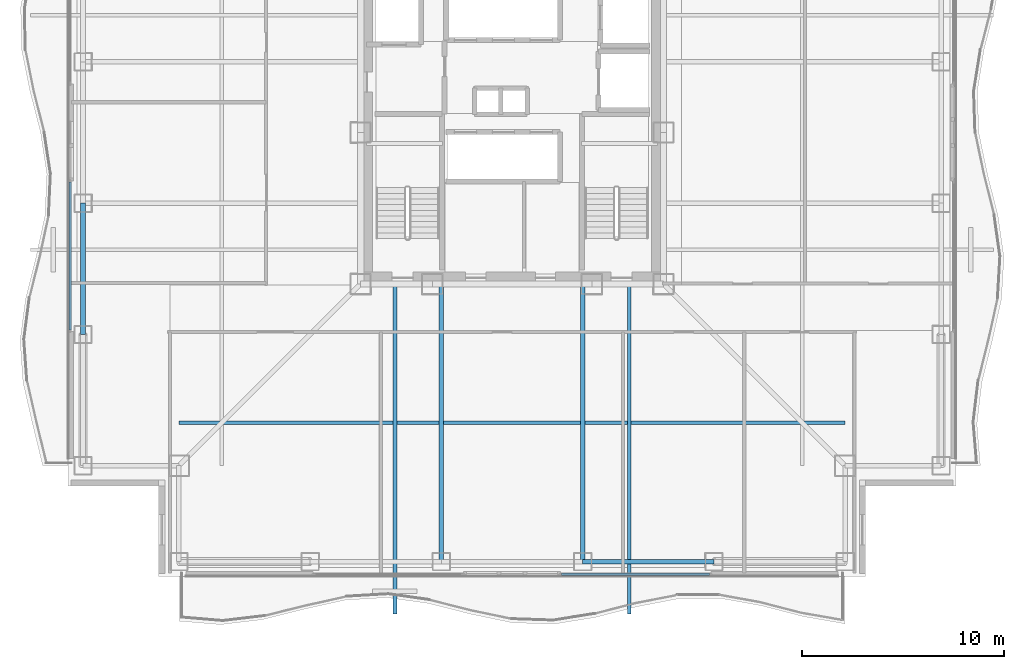
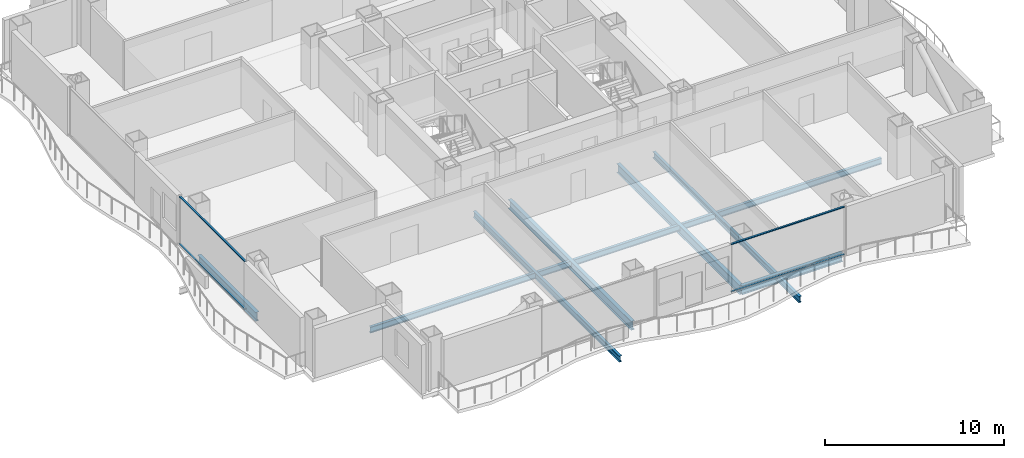
# One storey, part 3 of 18: 7 beams, 4 members, 2 elements without a shape of their own.
"""IFC4 building model written with IfcOpenShell, lengths in metres."""

from ifc_helpers import new_model, si_unit, direction, frame, origin, origin_2d, place, context, subcontext, project, spatial, rectangle, i_section, extrude, material, layer, layer_set, material_profile, profile_set, type_object, element, aggregate, save


model = new_model("IFC4")

# Units and contexts
model_context = context("Model", 3, precision=1e-05, world=origin(), true_north=direction((0.0, 1.0)))
body_context = subcontext(model_context, "Body", "Model", "MODEL_VIEW")
ifc_project = project(units=[si_unit("LENGTHUNIT", "METRE"), si_unit("AREAUNIT", "SQUARE_METRE"), si_unit("VOLUMEUNIT", "CUBIC_METRE"), si_unit("PLANEANGLEUNIT", "RADIAN"), si_unit("MASSUNIT", "GRAM", prefix="KILO")], contexts=[model_context])

# Site, building, storey
site_placement = place(None, origin())
site = spatial("IfcSite", under=ifc_project, at=site_placement, CompositionType="ELEMENT")
building_placement = place(site_placement, origin())
building = spatial("IfcBuilding", under=site, at=building_placement, Name="Trevonay Congress Spire", CompositionType="ELEMENT")
storey_placement = place(building_placement, frame((0.0, 0.0, 122.800048828125)))
storey = spatial("IfcBuildingStorey", under=building, at=storey_placement, Name="L31", CompositionType="ELEMENT", Elevation=122.800048828125)

# Beams
ifc_material_1 = material(Name="Steel ASTM A572 Grade 50", Category="steel")
ifc_material_profile_1 = material_profile(ifc_material_1, i_section(OverallWidth=0.22998046875, OverallDepth=0.616943359375, WebThickness=0.01318359375, FlangeThickness=0.022216796875, FilletRadius=0.01611328125, at=origin_2d()), Name="W610x140")
ifc_profile_set_1 = profile_set([ifc_material_profile_1], Name="Steel ASTM A572 Grade 50")
beam_type_1 = type_object("IfcBeamType", Name="BM-GIRD-W610X140", PredefinedType="BEAM", material=ifc_profile_set_1)
for number, where, z_axis, x_axis, name in (
    (1, (-3.5, -7.5, -0.548583984375), (0.0, -1.0, 0.0), (1.0, 0.0, 0.0), "L31 structural beam BM-L31-GS-M"),
    (2, (3.5, -7.5, -0.548583984375), (0.0, -1.0, 0.0), (1.0, 0.0, 0.0), "L31 structural beam BM-L31-GS-P"),
):
    element("IfcBeam", number, at=place(storey_placement, frame(where, z_axis=z_axis, x_axis=x_axis)), inside=storey, type_object=beam_type_1, Name=name, PredefinedType="BEAM", context=body_context, shape_type="SweptSolid", body=[
        extrude(i_section(OverallWidth=0.22998046875, OverallDepth=0.616943359375, WebThickness=0.01318359375, FlangeThickness=0.022216796875, FilletRadius=0.01611328125, at=origin_2d()), origin(), (0.0, 0.0, 1.0), 13.75),
    ])
ifc_material_profile_2 = material_profile(ifc_material_1, i_section(OverallWidth=0.22802734375, OverallDepth=0.60791015625, WebThickness=0.01123046875, FlangeThickness=0.017333984375, FilletRadius=0.01611328125, at=origin_2d()), Name="W610x113")
ifc_profile_set_2 = profile_set([ifc_material_profile_2], Name="Steel ASTM A572 Grade 50")
beam_type_2 = type_object("IfcBeamType", Name="BM-RING-W610X113", PredefinedType="BEAM", material=ifc_profile_set_2)
for number, where, z_axis, x_axis, name in (
    (3, (-21.25, -10.0, -0.5439453125), (0.0, 1.0, 0.0), (-1.0, 0.0, 0.0), "L31 structural beam BM-L31-PW2"),
    (4, (3.5, -21.25, -0.5439453125), (1.0, 0.0, 0.0), (0.0, 1.0, 0.0), "L31 structural beam BM-L31-PS4"),
):
    element("IfcBeam", number, at=place(storey_placement, frame(where, z_axis=z_axis, x_axis=x_axis)), inside=storey, type_object=beam_type_2, Name=name, PredefinedType="BEAM", context=body_context, shape_type="SweptSolid", body=[
        extrude(i_section(OverallWidth=0.22802734375, OverallDepth=0.60791015625, WebThickness=0.01123046875, FlangeThickness=0.017333984375, FilletRadius=0.01611328125, at=origin_2d()), origin(), (0.0, 0.0, 1.0), 6.5),
    ])
ifc_material_profile_3 = material_profile(ifc_material_1, i_section(OverallWidth=0.180908203125, OverallDepth=0.4169921875, WebThickness=0.010986328125, FlangeThickness=0.018310546875, FilletRadius=0.012939453125, at=origin_2d()), Name="W410x85")
ifc_profile_set_3 = profile_set([ifc_material_profile_3], Name="Steel ASTM A572 Grade 50")
beam_type_3 = type_object("IfcBeamType", Name="BM-WAV-LOOKOUT", PredefinedType="BEAM", material=ifc_profile_set_3)
for number, where, z_axis, x_axis, name in (
    (5, (-5.800048828125, -7.5, -0.448486328125), (0.0, -1.0, 0.0), (1.0, 0.0, 0.0), "L31 structural beam WLK-L31-S1"),
    (6, (5.800048828125, -7.5, -0.448486328125), (0.0, -1.0, 0.0), (1.0, 0.0, 0.0), "L31 structural beam WLK-L31-S2"),
):
    element("IfcBeam", number, at=place(storey_placement, frame(where, z_axis=z_axis, x_axis=x_axis)), inside=storey, type_object=beam_type_3, Name=name, PredefinedType="BEAM", context=body_context, shape_type="SweptSolid", body=[
        extrude(i_section(OverallWidth=0.180908203125, OverallDepth=0.4169921875, WebThickness=0.010986328125, FlangeThickness=0.018310546875, FilletRadius=0.012939453125, at=origin_2d()), origin(), (0.0, 0.0, 1.0), 16.35009765625),
    ])

# Curtain wall, members
ifc_material_2 = material(Name="Pale Anodised Aluminium EN AW-6063-T6", Category="aluminium")
ifc_layer = layer(ifc_material_2, 0.175048828125, Name="Pale Anodised Aluminium EN AW-6063-T6")
ifc_layer_set = layer_set([ifc_layer], Name="Pale Anodised Aluminium EN AW-6063-T6")
curtain_wall_type = type_object("IfcCurtainWallType", Name="CW-SYS03-CONGRESS-PALE-METAL", PredefinedType="NOTDEFINED", material=ifc_layer_set)
curtain_wall_1_placement = place(storey_placement, origin())
curtain_wall_1 = element("IfcCurtainWall", 7, at=curtain_wall_1_placement, inside=storey, type_object=curtain_wall_type, Name="L31 SB unitised curtain wall", PredefinedType="NOTDEFINED")
ifc_material_profile_4 = material_profile(ifc_material_2, rectangle(XDim=0.1201171875, YDim=0.06005859375, at=origin_2d()), Name="CW-TRANSOM-120-ALUMINIUM")
ifc_profile_set_4 = profile_set([ifc_material_profile_4], Name="Pale Anodised Aluminium EN AW-6063-T6")
member_type = type_object("IfcMemberType", Name="CW-TRANSOM-120-ALUMINIUM", PredefinedType="USERDEFINED", material=ifc_profile_set_4)
member_1_placement = place(storey_placement, frame((2.4599609375, -21.8798828125, 0.06005859375), z_axis=(1.0, 0.0, 0.0), x_axis=(0.0, 1.0, 0.0)))
member_1 = element("IfcMember", 8, at=member_1_placement, type_object=member_type, Name="CW03 transom 1.1", ObjectType="TRANSOM", PredefinedType="USERDEFINED", context=body_context, shape_type="SweptSolid", body=[
    extrude(rectangle(XDim=0.1201171875, YDim=0.06005859375, at=origin_2d()), origin(), (0.0, 0.0, 1.0), 7.330078125),
])
member_2_placement = place(storey_placement, frame((2.4599609375, -21.8798828125, 3.300048828125), z_axis=(1.0, 0.0, 0.0), x_axis=(0.0, 1.0, 0.0)))
member_2 = element("IfcMember", 9, at=member_2_placement, type_object=member_type, Name="CW03 transom 1.2", ObjectType="TRANSOM", PredefinedType="USERDEFINED", context=body_context, shape_type="SweptSolid", body=[
    extrude(rectangle(XDim=0.1201171875, YDim=0.06005859375, at=origin_2d()), origin(), (0.0, 0.0, 1.0), 7.330078125),
])
aggregate(curtain_wall_1, [member_1, member_2])

curtain_wall_2_placement = place(storey_placement, origin())
curtain_wall_2 = element("IfcCurtainWall", 10, at=curtain_wall_2_placement, inside=storey, type_object=curtain_wall_type, Name="L31 WA unitised curtain wall", PredefinedType="NOTDEFINED")
member_3_placement = place(storey_placement, frame((-21.8798828125, -9.7900390625, 0.06005859375), z_axis=(0.0, 1.0, 0.0), x_axis=(-1.0, 0.0, 0.0)))
member_3 = element("IfcMember", 11, at=member_3_placement, type_object=member_type, Name="CW03 transom 1.1", ObjectType="TRANSOM", PredefinedType="USERDEFINED", context=body_context, shape_type="SweptSolid", body=[
    extrude(rectangle(XDim=0.1201171875, YDim=0.06005859375, at=origin_2d()), origin(), (0.0, 0.0, 1.0), 7.330078125),
])
member_4_placement = place(storey_placement, frame((-21.8798828125, -9.7900390625, 3.300048828125), z_axis=(0.0, 1.0, 0.0), x_axis=(-1.0, 0.0, 0.0)))
member_4 = element("IfcMember", 12, at=member_4_placement, type_object=member_type, Name="CW03 transom 1.2", ObjectType="TRANSOM", PredefinedType="USERDEFINED", context=body_context, shape_type="SweptSolid", body=[
    extrude(rectangle(XDim=0.1201171875, YDim=0.06005859375, at=origin_2d()), origin(), (0.0, 0.0, 1.0), 7.330078125),
])
aggregate(curtain_wall_2, [member_3, member_4])

# Beam
ifc_material_profile_5 = material_profile(ifc_material_1, i_section(OverallWidth=0.177978515625, OverallDepth=0.406982421875, WebThickness=0.0078125, FlangeThickness=0.0126953125, FilletRadius=0.012939453125, at=origin_2d()), Name="W410x60")
ifc_profile_set_5 = profile_set([ifc_material_profile_5], Name="Steel ASTM A572 Grade 50")
beam_type_4 = type_object("IfcBeamType", Name="JS-COMP-W410X60", PredefinedType="JOIST", material=ifc_profile_set_5)
beam_placement = place(storey_placement, frame((-16.5, -14.375, -0.443603515625), z_axis=(1.0, 0.0, 0.0), x_axis=(0.0, 1.0, 0.0)))
element("IfcBeam", 13, at=beam_placement, inside=storey, type_object=beam_type_4, Name="L31 structural beam JS-L31-RING-S", PredefinedType="JOIST", context=body_context, shape_type="SweptSolid", body=[
    extrude(i_section(OverallWidth=0.177978515625, OverallDepth=0.406982421875, WebThickness=0.0078125, FlangeThickness=0.0126953125, FilletRadius=0.012939453125, at=origin_2d()), origin(), (0.0, 0.0, 1.0), 33.0),
])

save(model, "model.ifc")
